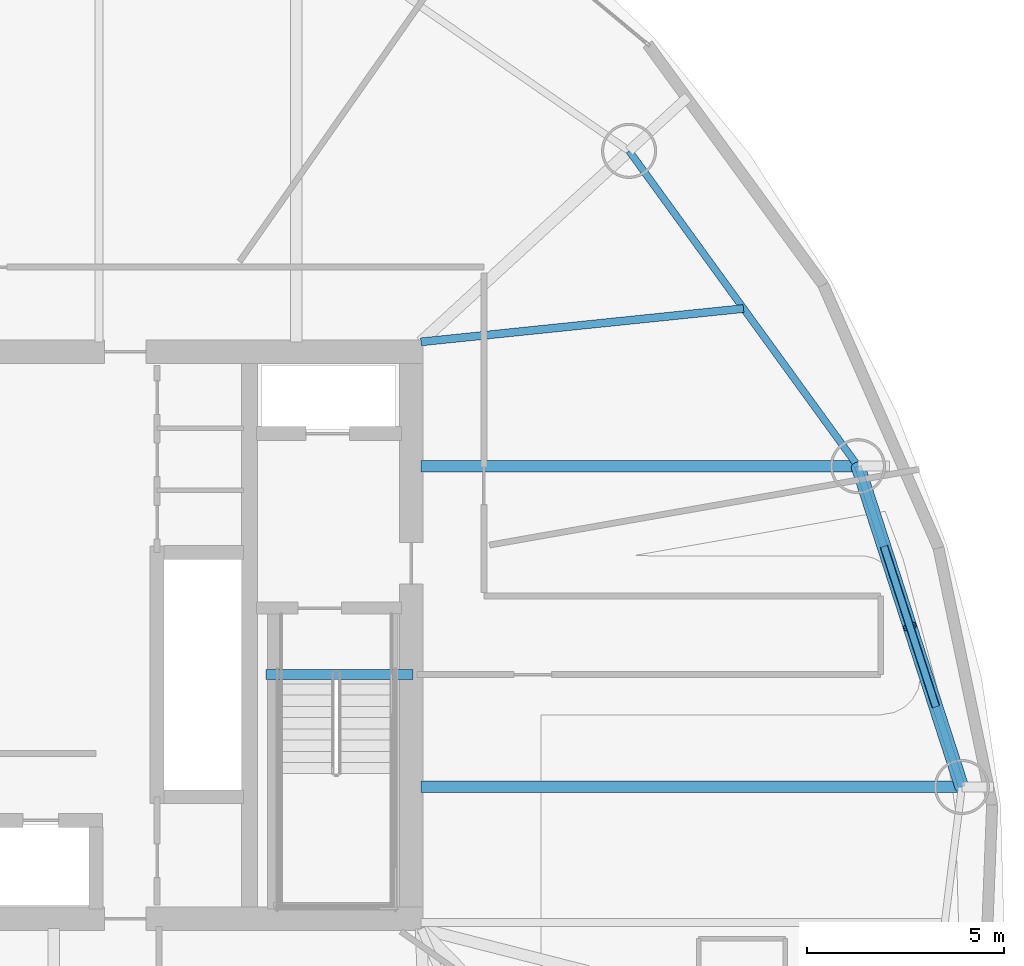
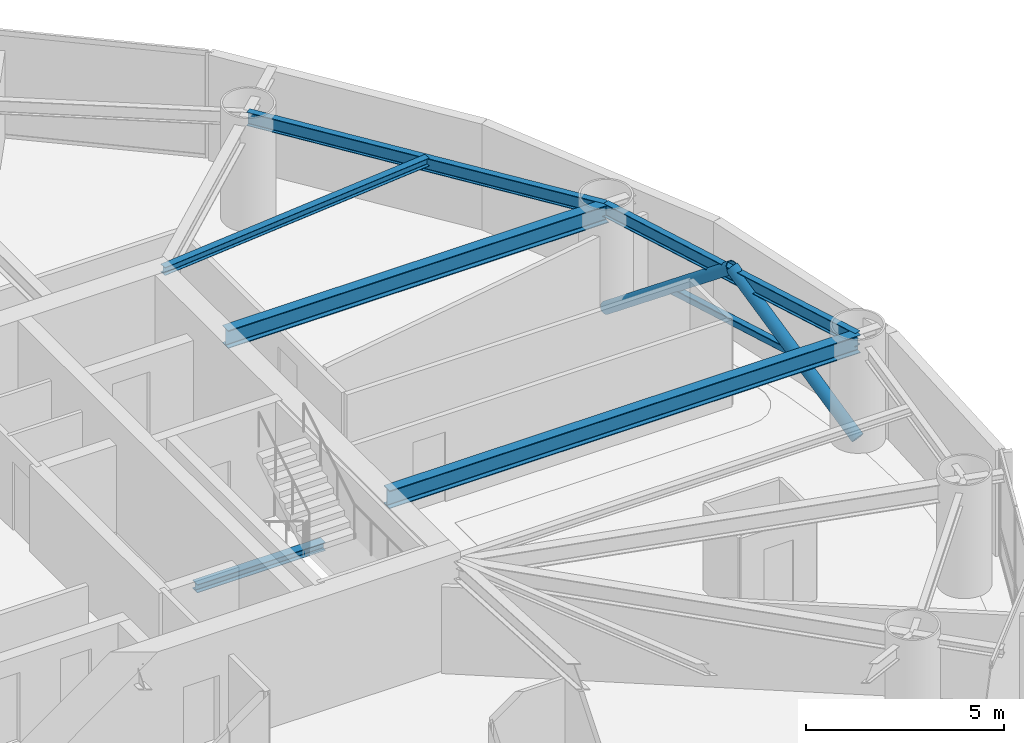
# One storey, part 12 of 23: 6 beams, 3 members.
"""IFC4 building model written with IfcOpenShell, lengths in metres."""

from ifc_helpers import new_model, si_unit, direction, frame, origin, origin_2d, place, context, subcontext, project, spatial, hollow_rectangle, hollow_circle, i_section, extrude, material, material_profile, profile_set, type_object, element, save


model = new_model("IFC4")

# Units and contexts
model_context = context("Model", 3, precision=1e-05, world=origin(), true_north=direction((0.0, 1.0)))
body_context = subcontext(model_context, "Body", "Model", "MODEL_VIEW")
ifc_project = project(units=[si_unit("LENGTHUNIT", "METRE"), si_unit("AREAUNIT", "SQUARE_METRE"), si_unit("VOLUMEUNIT", "CUBIC_METRE"), si_unit("PLANEANGLEUNIT", "RADIAN"), si_unit("MASSUNIT", "GRAM", prefix="KILO")], contexts=[model_context])

# Site, building, storey
site_placement = place(None, origin())
site = spatial("IfcSite", under=ifc_project, at=site_placement, CompositionType="ELEMENT")
building_placement = place(site_placement, origin())
building = spatial("IfcBuilding", under=site, at=building_placement, Name="Bramvorn Convention Spire", CompositionType="ELEMENT")
storey_placement = place(building_placement, frame((0.0, 0.0, 158.800048828125)))
storey = spatial("IfcBuildingStorey", under=building, at=storey_placement, Name="L40", CompositionType="ELEMENT", Elevation=158.800048828125)

# Beams
ifc_material = material(Name="Steel CSA G40.21 Grade 350 (350W)", Category="steel")
ifc_material_profile_1 = material_profile(ifc_material, i_section(OverallWidth=0.201904296875, OverallDepth=0.2470703125, WebThickness=0.00732421875, FlangeThickness=0.010986328125, FilletRadius=0.011962890625, at=origin_2d()))
ifc_profile_set_1 = profile_set([ifc_material_profile_1], Name="Steel CSA G40.21 Grade 350 (350W) - W250X49")
beam_type_1 = type_object("IfcBeamType", Name="BM-W250X49", PredefinedType="JOIST", material=ifc_profile_set_1)
beam_1_placement = place(storey_placement, frame((49.25, 33.449951171875, 3.136474609375), z_axis=(0.994705076194, 0.102770673804, 0.0), x_axis=(-0.102770673804, 0.994705076194, 0.0)))
element("IfcBeam", 1, at=beam_1_placement, inside=storey, type_object=beam_type_1, Name="L40 composite floor joist 03", PredefinedType="JOIST", context=body_context, shape_type="SweptSolid", body=[
    extrude(i_section(OverallWidth=0.201904296875, OverallDepth=0.2470703125, WebThickness=0.00732421875, FlangeThickness=0.010986328125, FilletRadius=0.011962890625, at=origin_2d()), origin(), (0.0, 0.0, 1.0), 8.23388671875),
])
ifc_material_profile_2 = material_profile(ifc_material, i_section(OverallWidth=0.25390625, OverallDepth=0.2529296875, WebThickness=0.008544921875, FlangeThickness=0.01416015625, FilletRadius=0.011962890625, at=origin_2d()))
ifc_profile_set_2 = profile_set([ifc_material_profile_2], Name="Steel CSA G40.21 Grade 350 (350W) - W250X73")
beam_type_2 = type_object("IfcBeamType", Name="BM-W250X73", PredefinedType="BEAM", material=ifc_profile_set_2)
beam_2_placement = place(storey_placement, frame((45.31005859375, 25.010009765625, -0.12646484375), z_axis=(1.0, 0.0, 0.0), x_axis=(0.0, 1.0, 0.0)))
element("IfcBeam", 2, at=beam_2_placement, inside=storey, type_object=beam_type_2, Name="L40 ST2 stair arrival header beam", PredefinedType="BEAM", context=body_context, shape_type="SweptSolid", body=[
    extrude(i_section(OverallWidth=0.25390625, OverallDepth=0.2529296875, WebThickness=0.008544921875, FlangeThickness=0.01416015625, FilletRadius=0.011962890625, at=origin_2d()), origin(), (0.0, 0.0, 1.0), 3.739990234375),
])
ifc_material_profile_3 = material_profile(ifc_material, i_section(OverallWidth=0.180908203125, OverallDepth=0.4169921875, WebThickness=0.010986328125, FlangeThickness=0.018310546875, FilletRadius=0.01611328125, at=origin_2d()))
ifc_profile_set_3 = profile_set([ifc_material_profile_3], Name="Steel CSA G40.21 Grade 350 (350W) - W410X85")
beam_type_3 = type_object("IfcBeamType", Name="BM-W410X85", PredefinedType="JOIST", material=ifc_profile_set_3)
beam_3_placement = place(storey_placement, frame((62.983642578125, 22.148193359375, 3.051513671875), z_axis=(-0.308114853612, 0.951349166701, 0.0), x_axis=(-0.951349166701, -0.308114853612, 0.0)))
element("IfcBeam", 3, at=beam_3_placement, inside=storey, type_object=beam_type_3, Name="L40 mega-column ring beam 02", PredefinedType="JOIST", context=body_context, shape_type="SweptSolid", body=[
    extrude(i_section(OverallWidth=0.180908203125, OverallDepth=0.4169921875, WebThickness=0.010986328125, FlangeThickness=0.018310546875, FilletRadius=0.01611328125, at=origin_2d()), origin(), (0.0, 0.0, 1.0), 8.5615234375),
])
beam_4_placement = place(storey_placement, frame((60.345703125, 30.293212890625, 3.051513671875), z_axis=(-0.587401024629, 0.809296012757, 0.0), x_axis=(-0.809296012757, -0.587401024629, 0.0)))
element("IfcBeam", 4, at=beam_4_placement, inside=storey, type_object=beam_type_3, Name="L40 mega-column ring beam 03", PredefinedType="JOIST", context=body_context, shape_type="SweptSolid", body=[
    extrude(i_section(OverallWidth=0.180908203125, OverallDepth=0.4169921875, WebThickness=0.010986328125, FlangeThickness=0.018310546875, FilletRadius=0.01611328125, at=origin_2d()), origin(), (0.0, 0.0, 1.0), 9.892333984375),
])
ifc_material_profile_4 = material_profile(ifc_material, i_section(OverallWidth=0.2919921875, OverallDepth=0.551025390625, WebThickness=0.01513671875, FlangeThickness=0.0244140625, FilletRadius=0.01904296875, at=origin_2d()))
ifc_profile_set_4 = profile_set([ifc_material_profile_4], Name="Steel CSA G40.21 Grade 350 (350W) - W530X182")
beam_type_4 = type_object("IfcBeamType", Name="BM-W530X182", PredefinedType="BEAM", material=ifc_profile_set_4)
beam_5_placement = place(storey_placement, frame((49.25, 22.148193359375, 2.984375), z_axis=(1.0, 0.0, 0.0), x_axis=(0.0, 1.0, 0.0)))
element("IfcBeam", 5, at=beam_5_placement, inside=storey, type_object=beam_type_4, Name="L40 radial floor girder MC02", PredefinedType="BEAM", context=body_context, shape_type="SweptSolid", body=[
    extrude(i_section(OverallWidth=0.2919921875, OverallDepth=0.551025390625, WebThickness=0.01513671875, FlangeThickness=0.0244140625, FilletRadius=0.01904296875, at=origin_2d()), origin(), (0.0, 0.0, 1.0), 13.733642578125),
])
beam_6_placement = place(storey_placement, frame((49.25, 30.293212890625, 2.984375), z_axis=(1.0, 0.0, 0.0), x_axis=(0.0, 1.0, 0.0)))
element("IfcBeam", 6, at=beam_6_placement, inside=storey, type_object=beam_type_4, Name="L40 radial floor girder MC03", PredefinedType="BEAM", context=body_context, shape_type="SweptSolid", body=[
    extrude(i_section(OverallWidth=0.2919921875, OverallDepth=0.551025390625, WebThickness=0.01513671875, FlangeThickness=0.0244140625, FilletRadius=0.01904296875, at=origin_2d()), origin(), (0.0, 0.0, 1.0), 11.095703125),
])

# Members
ifc_material_profile_5 = material_profile(ifc_material, hollow_circle(Radius=0.177734375, WallThickness=0.015869140625, at=origin_2d()))
ifc_profile_set_5 = profile_set([ifc_material_profile_5], Name="Steel CSA G40.21 Grade 350 (350W) - CHS356X16")
member_type_1 = type_object("IfcMemberType", Name="MBR-CHS356X16", PredefinedType="BRACE", material=ifc_profile_set_5)
for number, where, z_axis, x_axis, name in (
    (7, (62.983642578125, 22.148193359375, 0.0), (-0.245105274589, 0.75686802766, 0.605866481227), (-0.951357525158, -0.308089044476, 0.0), "L40 perimeter Gothic lancet brace 2A"),
    (8, (60.345703125, 30.293212890625, 0.0), (0.245147921079, -0.756859609759, 0.605859742768), (0.951340807692, 0.308140662068, 0.0), "L40 perimeter Gothic lancet brace 2B"),
):
    element("IfcMember", number, at=place(storey_placement, frame(where, z_axis=z_axis, x_axis=x_axis)), inside=storey, type_object=member_type_1, Name=name, PredefinedType="BRACE", context=body_context, shape_type="SweptSolid", body=[
        extrude(hollow_circle(Radius=0.177734375, WallThickness=0.015869140625, at=origin_2d()), origin(), (0.0, 0.0, 1.0), 5.380859375),
    ])
ifc_material_profile_6 = material_profile(ifc_material, hollow_rectangle(XDim=0.203125, YDim=0.203125, WallThickness=0.0126953125, InnerFilletRadius=0.0126953125, OuterFilletRadius=0.025390625, at=origin_2d()))
ifc_profile_set_6 = profile_set([ifc_material_profile_6], Name="Steel CSA G40.21 Grade 350 (350W) - HSS203X203X13")
member_type_2 = type_object("IfcMemberType", Name="MBR-HSS203X203X13", PredefinedType="BRACE", material=ifc_profile_set_6)
member_placement = place(storey_placement, frame((62.32421875, 24.1845703125, 1.6298828125), z_axis=(-0.3081573815, 0.951335392082, 0.0), x_axis=(-0.951335392082, -0.3081573815, 0.0)))
element("IfcMember", 9, at=member_placement, inside=storey, type_object=member_type_2, Name="L40 lancet mid-height collar tie 2", PredefinedType="BRACE", context=body_context, shape_type="SweptSolid", body=[
    extrude(hollow_rectangle(XDim=0.203125, YDim=0.203125, WallThickness=0.0126953125, InnerFilletRadius=0.0126953125, OuterFilletRadius=0.025390625, at=origin_2d()), origin(), (0.0, 0.0, 1.0), 4.280517578125),
])

save(model, "model.ifc")
